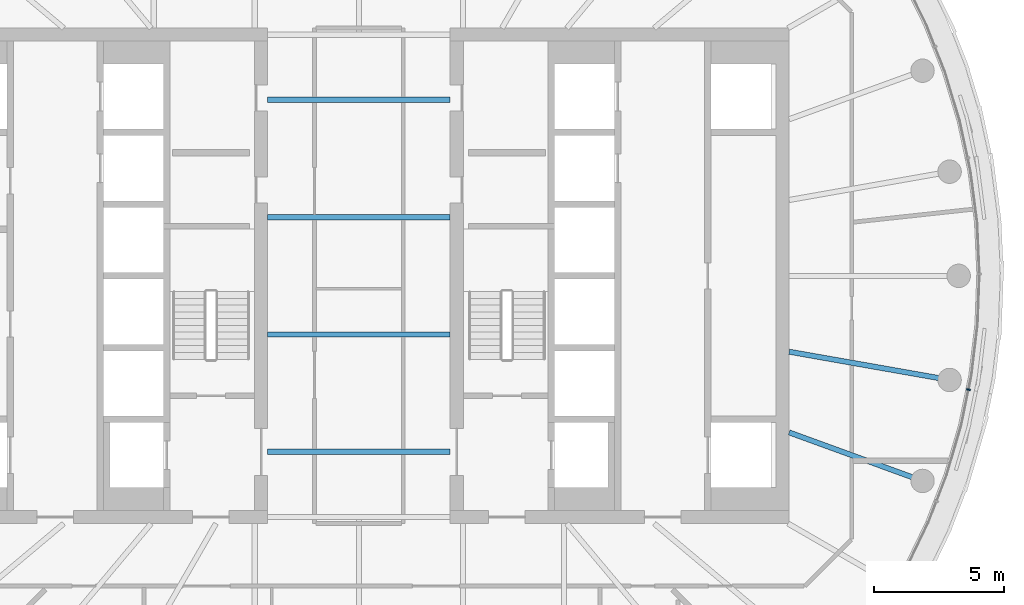
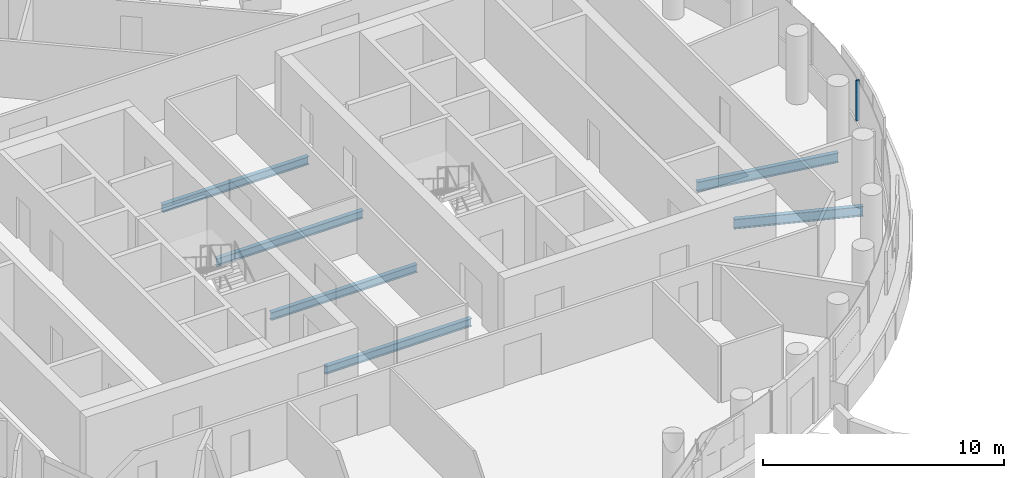
# One storey, part 8 of 25: 6 beams, 1 member, 1 element without a shape of its own.
"""IFC4 building model written with IfcOpenShell, lengths in metres."""

from ifc_helpers import new_model, si_unit, direction, frame, origin, origin_2d, place, context, subcontext, project, spatial, rectangle, i_section, extrude, material, layer, layer_set, material_profile, profile_set, type_object, element, aggregate, save


model = new_model("IFC4")

# Units and contexts
model_context = context("Model", 3, precision=1e-05, world=origin(), true_north=direction((0.0, 1.0)))
body_context = subcontext(model_context, "Body", "Model", "MODEL_VIEW")
ifc_project = project(units=[si_unit("LENGTHUNIT", "METRE"), si_unit("AREAUNIT", "SQUARE_METRE"), si_unit("VOLUMEUNIT", "CUBIC_METRE"), si_unit("PLANEANGLEUNIT", "RADIAN"), si_unit("MASSUNIT", "GRAM", prefix="KILO")], contexts=[model_context])

# Site, building, storey
site_placement = place(None, origin())
site = spatial("IfcSite", under=ifc_project, at=site_placement, CompositionType="ELEMENT")
building_placement = place(site_placement, origin())
building = spatial("IfcBuilding", under=site, at=building_placement, Name="Tamarind Cross Interchange Tower", CompositionType="ELEMENT")
storey_placement = place(building_placement, frame((0.0, 0.0, 219.89990234375)))
storey = spatial("IfcBuildingStorey", under=building, at=storey_placement, Name="L55", CompositionType="ELEMENT", Elevation=219.89990234375)

# Beams
ifc_material_1 = material(Name="Steel Q355B", Category="steel")
ifc_material_profile_1 = material_profile(ifc_material_1, i_section(OverallWidth=0.199951171875, OverallDepth=0.39990234375, WebThickness=0.008056640625, FlangeThickness=0.012939453125, FilletRadius=0.01611328125, at=origin_2d()), Name="HN 400x200x8x13")
ifc_profile_set_1 = profile_set([ifc_material_profile_1], Name="Steel Q355B")
beam_type_1 = type_object("IfcBeamType", Name="Composite beam HN 400x200x8x13 Q355B", PredefinedType="BEAM", material=ifc_profile_set_1)
for number, where, z_axis, x_axis, name in (
    (1, (-3.5, -2.25, -0.33984375), (1.0, 0.0, 0.0), (0.0, 1.0, 0.0), "Beam G-2.25"),
    (2, (-3.5, -6.75, -0.33984375), (1.0, 0.0, 0.0), (0.0, 1.0, 0.0), "Beam G-6.75"),
    (3, (-3.5, 2.25, -0.33984375), (1.0, 0.0, 0.0), (0.0, 1.0, 0.0), "Beam G2.25"),
    (4, (-3.5, 6.75, -0.33984375), (1.0, 0.0, 0.0), (0.0, 1.0, 0.0), "Beam G6.75"),
):
    element("IfcBeam", number, at=place(storey_placement, frame(where, z_axis=z_axis, x_axis=x_axis)), inside=storey, type_object=beam_type_1, Name=name, PredefinedType="BEAM", context=body_context, shape_type="SweptSolid", body=[
        extrude(i_section(OverallWidth=0.199951171875, OverallDepth=0.39990234375, WebThickness=0.008056640625, FlangeThickness=0.012939453125, FilletRadius=0.01611328125, at=origin_2d()), origin(), (0.0, 0.0, 1.0), 7.0),
    ])
ifc_material_profile_2 = material_profile(ifc_material_1, i_section(OverallWidth=0.198974609375, OverallDepth=0.49609375, WebThickness=0.009033203125, FlangeThickness=0.013916015625, FilletRadius=0.012939453125, at=origin_2d()), Name="HN 496x199x9x14")
ifc_profile_set_2 = profile_set([ifc_material_profile_2], Name="Steel Q355B")
beam_type_2 = type_object("IfcBeamType", Name="Composite beam HN 496x199x9x14 Q355B", PredefinedType="BEAM", material=ifc_profile_set_2)
beam_1_placement = place(storey_placement, frame((21.613037109375, -7.866455078125, -0.387939453125), z_axis=(-0.939701685589, 0.341995236956, 0.0), x_axis=(-0.341995236956, -0.939701685589, 0.0)))
element("IfcBeam", 5, at=beam_1_placement, inside=storey, type_object=beam_type_2, Name="Beam HH34", PredefinedType="BEAM", context=body_context, shape_type="SweptSolid", body=[
    extrude(i_section(OverallWidth=0.198974609375, OverallDepth=0.49609375, WebThickness=0.009033203125, FlangeThickness=0.013916015625, FilletRadius=0.012939453125, at=origin_2d()), origin(), (0.0, 0.0, 1.0), 5.441162109375),
])
beam_2_placement = place(storey_placement, frame((22.650634765625, -3.993896484375, -0.387939453125), z_axis=(-0.984809127561, 0.173640382036, 0.0), x_axis=(-0.173640382036, -0.984809127561, 0.0)))
element("IfcBeam", 6, at=beam_2_placement, inside=storey, type_object=beam_type_2, Name="Beam HH35", PredefinedType="BEAM", context=body_context, shape_type="SweptSolid", body=[
    extrude(i_section(OverallWidth=0.198974609375, OverallDepth=0.49609375, WebThickness=0.009033203125, FlangeThickness=0.013916015625, FilletRadius=0.012939453125, at=origin_2d()), origin(), (0.0, 0.0, 1.0), 6.24560546875),
])

# Curtain wall, member
ifc_material_2 = material(Name="Aluminium 6063-T6", Category="aluminium")
ifc_layer = layer(ifc_material_2, 0.14990234375)
ifc_layer_set = layer_set([ifc_layer], Name="Aluminium 6063-T6")
curtain_wall_type = type_object("IfcCurtainWallType", Name="Winter garden and crown curtain wall", PredefinedType="NOTDEFINED", material=ifc_layer_set)
curtain_wall_placement = place(storey_placement, origin())
curtain_wall = element("IfcCurtainWall", 7, at=curtain_wall_placement, inside=storey, type_object=curtain_wall_type, Name="CWS-L55-02", PredefinedType="NOTDEFINED")
ifc_material_profile_3 = material_profile(ifc_material_2, rectangle(XDim=0.06005859375, YDim=0.14990234375, at=origin_2d()), Name="Mullion CW6")
ifc_profile_set_3 = profile_set([ifc_material_profile_3], Name="Aluminium 6063-T6")
member_type = type_object("IfcMemberType", Name="Mullion CW6", PredefinedType="MULLION", material=ifc_profile_set_3)
member_placement = place(storey_placement, frame((23.375732421875, -4.36279296875, 1.400146484375), z_axis=(0.0, 0.0, 1.0), x_axis=(0.201001463943, 0.9795909409, 0.0)))
member = element("IfcMember", 8, at=member_placement, type_object=member_type, Name="CWM-L55-02-13", PredefinedType="MULLION", context=body_context, shape_type="SweptSolid", body=[
    extrude(rectangle(XDim=0.06005859375, YDim=0.14990234375, at=origin_2d()), origin(), (0.0, 0.0, 1.0), 2.06005859375),
])
aggregate(curtain_wall, [member])

save(model, "model.ifc")
